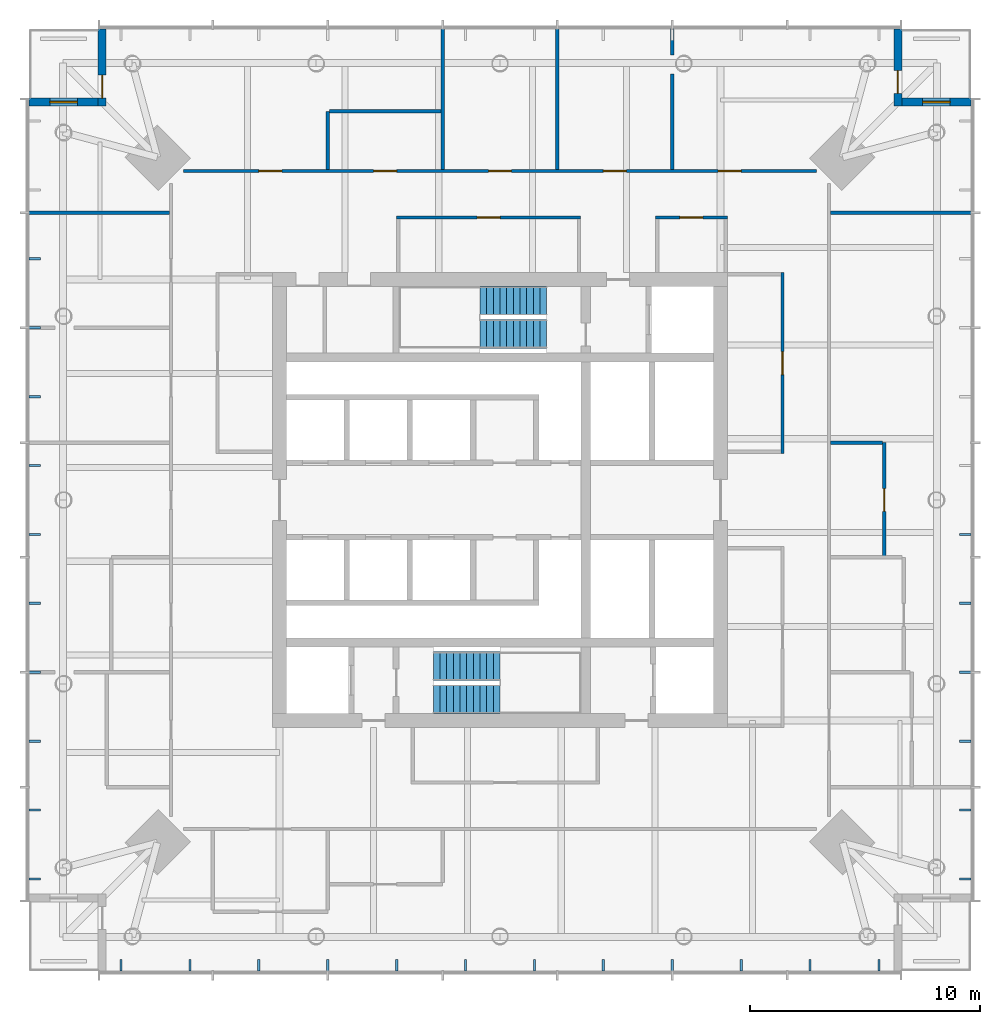
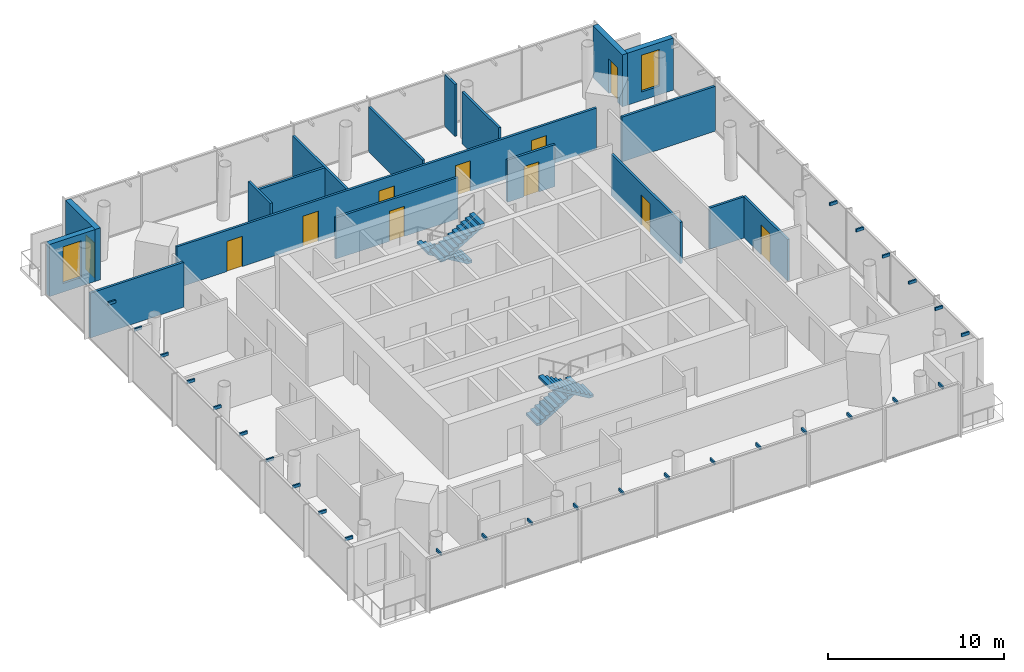
# One storey, part 7 of 9: 28 discrete accessories, 18 walls, 11 doors, 4 stair flights, 2 windows, 13 openings, 2 elements without a shape of their own.
"""IFC4 building model written with IfcOpenShell, lengths in metres."""

from ifc_helpers import new_model, si_unit, direction, frame, frame_2d, origin, origin_2d, place, context, subcontext, project, spatial, polyline, rectangle, outline, extrude, material, layer, layer_set, type_object, element, fill, aggregate, save


model = new_model("IFC4")

# Units and contexts
model_context = context("Model", 3, precision=1e-05, world=origin(), true_north=direction((0.0, 1.0)))
body_context = subcontext(model_context, "Body", "Model", "MODEL_VIEW")
ifc_project = project(units=[si_unit("LENGTHUNIT", "METRE"), si_unit("AREAUNIT", "SQUARE_METRE"), si_unit("VOLUMEUNIT", "CUBIC_METRE"), si_unit("PLANEANGLEUNIT", "RADIAN"), si_unit("MASSUNIT", "GRAM", prefix="KILO")], contexts=[model_context])

# Site, building, storey
site_placement = place(None, origin())
site = spatial("IfcSite", under=ifc_project, at=site_placement, CompositionType="ELEMENT")
building_placement = place(site_placement, origin())
building = spatial("IfcBuilding", under=site, at=building_placement, Name="Ostroluk Exchange", CompositionType="ELEMENT")
storey_placement = place(building_placement, frame((0.0, 0.0, 176.800048828125)))
storey = spatial("IfcBuildingStorey", under=building, at=storey_placement, Name="L45", CompositionType="ELEMENT", Elevation=176.800048828125)

# Wall, opening, door
ifc_material_1 = material(Name="Limestone", Category="masonry")
ifc_layer_1 = layer(ifc_material_1, 0.35009765625)
ifc_layer_set_1 = layer_set([ifc_layer_1], Name="Limestone facade wall 350")
wall_type_1 = type_object("IfcWallType", Name="Limestone facade wall 350", PredefinedType="SOLIDWALL", material=ifc_layer_set_1)
wall_1_placement = place(storey_placement, frame((62.324951171875, 66.5, 0.0), z_axis=(0.0, 0.0, 1.0), x_axis=(0.0, -1.0, 0.0)))
wall_1 = element("IfcWall", 1, at=wall_1_placement, inside=storey, type_object=wall_type_1, Name="Office tower NE corner wall L45 a", PredefinedType="SOLIDWALL", context=body_context, shape_type="SweptSolid", body=[
    extrude(rectangle(XDim=3.35009765625, YDim=0.35009765625, at=frame_2d((1.675048828125, 0.0))), origin(), (0.0, 0.0, 1.0), 3.619873046875),
])
opening_1_placement = place(wall_1_placement, frame((1.800048828125, 0.0, 0.0)))
opening_1 = element("IfcOpeningElement", 2, at=opening_1_placement, cuts=wall_1, Name="Opening D-B1", PredefinedType="OPENING", context=body_context, shape_type="SweptSolid", body=[
    extrude(rectangle(XDim=1.0, YDim=2.39990234375, at=frame_2d((0.5, 1.199951171875))), frame((0.0, 0.18505859375, 0.0), z_axis=(0.0, -1.0, 0.0), x_axis=(1.0, 0.0, 0.0)), (0.0, 0.0, 1.0), 0.3701171875),
])
ifc_material_2 = material(Name="Bronze framed glazed door", Category="aluminium")
door_type_1 = type_object("IfcDoorType", Name="Balcony door 1000 x 2400", OperationType="SINGLE_SWING_LEFT", PredefinedType="DOOR", material=ifc_material_2)
door_1_placement = place(opening_1_placement, origin())
door_1 = element("IfcDoor", 3, at=door_1_placement, inside=storey, type_object=door_type_1, Name="Office tower NE balcony door L45", OperationType="SINGLE_SWING_RIGHT", OverallHeight=2.39990234375, OverallWidth=1.0, PredefinedType="DOOR", context=body_context, shape_type="SweptSolid", body=[
    extrude(rectangle(XDim=1.0, YDim=2.39990234375, at=frame_2d((0.5, 1.199951171875))), frame((0.0, 0.02490234375, 0.0), z_axis=(0.0, -1.0, 0.0), x_axis=(1.0, 0.0, 0.0)), (0.0, 0.0, 1.0), 0.050048828125),
])
fill(opening_1, door_1)

# Wall, opening, window
wall_2_placement = place(storey_placement, frame((62.5, 63.324951171875, 0.0), z_axis=(0.0, 0.0, 1.0), x_axis=(1.0, 0.0, 0.0)))
wall_2 = element("IfcWall", 4, at=wall_2_placement, inside=storey, type_object=wall_type_1, Name="Office tower NE corner wall L45 b", PredefinedType="SOLIDWALL", context=body_context, shape_type="SweptSolid", body=[
    extrude(rectangle(XDim=3.0, YDim=0.35009765625, at=frame_2d((1.5, 0.0))), origin(), (0.0, 0.0, 1.0), 3.619873046875),
])
opening_2_placement = place(wall_2_placement, frame((0.89990234375, 0.0, 0.60009765625)))
opening_2 = element("IfcOpeningElement", 5, at=opening_2_placement, cuts=wall_2, Name="Opening WN-L1", PredefinedType="OPENING", context=body_context, shape_type="SweptSolid", body=[
    extrude(rectangle(XDim=1.199951171875, YDim=2.550048828125, at=frame_2d((0.60009765625, 1.27490234375))), frame((0.0, 0.18505859375, 0.0), z_axis=(0.0, -1.0, 0.0), x_axis=(1.0, 0.0, 0.0)), (0.0, 0.0, 1.0), 0.3701171875),
])
ifc_material_3 = material(Name="Laminated clear glass", Category="glass")
window_type = type_object("IfcWindowType", Name="Lancet window 1200 x 2550", PartitioningType="SINGLE_PANEL", PredefinedType="WINDOW", material=ifc_material_3)
window_1_placement = place(opening_2_placement, origin())
window_1 = element("IfcWindow", 6, at=window_1_placement, inside=storey, type_object=window_type, Name="Office tower NE lancet window L45", OverallHeight=2.550048828125, OverallWidth=1.199951171875, PartitioningType="SINGLE_PANEL", PredefinedType="WINDOW", context=body_context, shape_type="SweptSolid", body=[
    extrude(rectangle(XDim=1.199951171875, YDim=2.550048828125, at=frame_2d((0.60009765625, 1.27490234375))), frame((0.0, 0.030029296875, 0.0), z_axis=(0.0, -1.0, 0.0), x_axis=(1.0, 0.0, 0.0)), (0.0, 0.0, 1.0), 0.06005859375),
])
fill(opening_2, window_1)

# Wall, opening, door
wall_3_placement = place(storey_placement, frame((27.675048828125, 66.5, 0.0), z_axis=(0.0, 0.0, 1.0), x_axis=(0.0, -1.0, 0.0)))
wall_3 = element("IfcWall", 7, at=wall_3_placement, inside=storey, type_object=wall_type_1, Name="Office tower NW corner wall L45 a", PredefinedType="SOLIDWALL", context=body_context, shape_type="SweptSolid", body=[
    extrude(rectangle(XDim=3.35009765625, YDim=0.35009765625, at=frame_2d((1.675048828125, 0.0))), origin(), (0.0, 0.0, 1.0), 3.619873046875),
])
opening_3_placement = place(wall_3_placement, frame((2.0, 0.0, 0.0)))
opening_3 = element("IfcOpeningElement", 8, at=opening_3_placement, cuts=wall_3, Name="Opening D-B1", PredefinedType="OPENING", context=body_context, shape_type="SweptSolid", body=[
    extrude(rectangle(XDim=1.0, YDim=2.39990234375, at=frame_2d((0.5, 1.199951171875))), frame((0.0, 0.18505859375, 0.0), z_axis=(0.0, -1.0, 0.0), x_axis=(1.0, 0.0, 0.0)), (0.0, 0.0, 1.0), 0.3701171875),
])
door_2_placement = place(opening_3_placement, origin())
door_2 = element("IfcDoor", 9, at=door_2_placement, inside=storey, type_object=door_type_1, Name="Office tower NW balcony door L45", OperationType="SINGLE_SWING_RIGHT", OverallHeight=2.39990234375, OverallWidth=1.0, PredefinedType="DOOR", context=body_context, shape_type="SweptSolid", body=[
    extrude(rectangle(XDim=1.0, YDim=2.39990234375, at=frame_2d((0.5, 1.199951171875))), frame((0.0, 0.02490234375, 0.0), z_axis=(0.0, -1.0, 0.0), x_axis=(1.0, 0.0, 0.0)), (0.0, 0.0, 1.0), 0.050048828125),
])
fill(opening_3, door_2)

# Wall, opening, window
wall_4_placement = place(storey_placement, frame((27.5, 63.324951171875, 0.0), z_axis=(0.0, 0.0, 1.0), x_axis=(-1.0, 0.0, 0.0)))
wall_4 = element("IfcWall", 10, at=wall_4_placement, inside=storey, type_object=wall_type_1, Name="Office tower NW corner wall L45 b", PredefinedType="SOLIDWALL", context=body_context, shape_type="SweptSolid", body=[
    extrude(rectangle(XDim=3.0, YDim=0.35009765625, at=frame_2d((1.5, 0.0))), origin(), (0.0, 0.0, 1.0), 3.619873046875),
])
opening_4_placement = place(wall_4_placement, frame((0.89990234375, 0.0, 0.60009765625)))
opening_4 = element("IfcOpeningElement", 11, at=opening_4_placement, cuts=wall_4, Name="Opening WN-L1", PredefinedType="OPENING", context=body_context, shape_type="SweptSolid", body=[
    extrude(rectangle(XDim=1.199951171875, YDim=2.550048828125, at=frame_2d((0.60009765625, 1.27490234375))), frame((0.0, 0.18505859375, 0.0), z_axis=(0.0, -1.0, 0.0), x_axis=(1.0, 0.0, 0.0)), (0.0, 0.0, 1.0), 0.3701171875),
])
window_2_placement = place(opening_4_placement, origin())
window_2 = element("IfcWindow", 12, at=window_2_placement, inside=storey, type_object=window_type, Name="Office tower NW lancet window L45", OverallHeight=2.550048828125, OverallWidth=1.199951171875, PartitioningType="SINGLE_PANEL", PredefinedType="WINDOW", context=body_context, shape_type="SweptSolid", body=[
    extrude(rectangle(XDim=1.199951171875, YDim=2.550048828125, at=frame_2d((0.60009765625, 1.27490234375))), frame((0.0, 0.030029296875, 0.0), z_axis=(0.0, -1.0, 0.0), x_axis=(1.0, 0.0, 0.0)), (0.0, 0.0, 1.0), 0.06005859375),
])
fill(opening_4, window_2)

# Wall, opening, door
ifc_material_4 = material(Name="Gypsum plasterboard partition", Category="gypsum")
ifc_layer_2 = layer(ifc_material_4, 0.14990234375)
ifc_layer_set_2 = layer_set([ifc_layer_2], Name="Plasterboard partition 150")
wall_type_2 = type_object("IfcWallType", Name="Plasterboard partition 150", PredefinedType="PARTITIONING", material=ifc_layer_set_2)
wall_5_placement = place(storey_placement, frame((57.300048828125, 48.02490234375, 0.0), z_axis=(0.0, 0.0, 1.0), x_axis=(0.0, 1.0, 0.0)))
wall_5 = element("IfcWall", 13, at=wall_5_placement, inside=storey, type_object=wall_type_2, Name="Partition", PredefinedType="PARTITIONING", context=body_context, shape_type="SweptSolid", body=[
    extrude(rectangle(XDim=7.875, YDim=0.14990234375, at=frame_2d((3.9375, 0.0))), origin(), (0.0, 0.0, 1.0), 2.866943359375),
])
opening_5_placement = place(wall_5_placement, frame((3.4375, 0.0, 0.0)))
opening_5 = element("IfcOpeningElement", 14, at=opening_5_placement, cuts=wall_5, Name="Opening D-03", PredefinedType="OPENING", context=body_context, shape_type="SweptSolid", body=[
    extrude(rectangle(XDim=1.0, YDim=2.10009765625, at=frame_2d((0.5, 1.050048828125))), frame((0.0, 0.0849609375, 0.0), z_axis=(0.0, -1.0, 0.0), x_axis=(1.0, 0.0, 0.0)), (0.0, 0.0, 1.0), 0.169921875),
])
ifc_material_5 = material(Name="Timber", Category="wood")
door_type_2 = type_object("IfcDoorType", Name="Internal door 1000 x 2100", OperationType="SINGLE_SWING_LEFT", PredefinedType="DOOR", material=ifc_material_5)
door_3_placement = place(opening_5_placement, origin())
door_3 = element("IfcDoor", 15, at=door_3_placement, inside=storey, type_object=door_type_2, Name="Meeting room door", OperationType="SINGLE_SWING_LEFT", OverallHeight=2.10009765625, OverallWidth=1.0, PredefinedType="DOOR", context=body_context, shape_type="SweptSolid", body=[
    extrude(rectangle(XDim=1.0, YDim=2.10009765625, at=frame_2d((0.5, 1.050048828125))), frame((0.0, 0.02490234375, 0.0), z_axis=(0.0, -1.0, 0.0), x_axis=(1.0, 0.0, 0.0)), (0.0, 0.0, 1.0), 0.050048828125),
])
fill(opening_5, door_3)

wall_6_placement = place(storey_placement, frame((54.89990234375, 58.300048828125, 0.0), z_axis=(0.0, 0.0, 1.0), x_axis=(-1.0, 0.0, 0.0)))
wall_6 = element("IfcWall", 16, at=wall_6_placement, inside=storey, type_object=wall_type_2, Name="Partition", PredefinedType="PARTITIONING", context=body_context, shape_type="SweptSolid", body=[
    extrude(rectangle(XDim=3.135009765625, YDim=0.14990234375, at=frame_2d((1.5673828125, 0.0))), origin(), (0.0, 0.0, 1.0), 2.919921875),
])
opening_6_placement = place(wall_6_placement, frame((1.0673828125, 0.0, 0.0)))
opening_6 = element("IfcOpeningElement", 17, at=opening_6_placement, cuts=wall_6, Name="Opening D-03", PredefinedType="OPENING", context=body_context, shape_type="SweptSolid", body=[
    extrude(rectangle(XDim=1.0, YDim=2.10009765625, at=frame_2d((0.5, 1.050048828125))), frame((0.0, 0.0849609375, 0.0), z_axis=(0.0, -1.0, 0.0), x_axis=(1.0, 0.0, 0.0)), (0.0, 0.0, 1.0), 0.169921875),
])
door_4_placement = place(opening_6_placement, origin())
door_4 = element("IfcDoor", 18, at=door_4_placement, inside=storey, type_object=door_type_2, Name="Meeting room door", OperationType="SINGLE_SWING_RIGHT", OverallHeight=2.10009765625, OverallWidth=1.0, PredefinedType="DOOR", context=body_context, shape_type="SweptSolid", body=[
    extrude(rectangle(XDim=1.0, YDim=2.10009765625, at=frame_2d((0.5, 1.050048828125))), frame((0.0, 0.02490234375, 0.0), z_axis=(0.0, -1.0, 0.0), x_axis=(1.0, 0.0, 0.0)), (0.0, 0.0, 1.0), 0.050048828125),
])
fill(opening_6, door_4)

wall_7_placement = place(storey_placement, frame((48.514892578125, 58.300048828125, 0.0), z_axis=(0.0, 0.0, 1.0), x_axis=(-1.0, 0.0, 0.0)))
wall_7 = element("IfcWall", 19, at=wall_7_placement, inside=storey, type_object=wall_type_2, Name="Partition", PredefinedType="PARTITIONING", context=body_context, shape_type="SweptSolid", body=[
    extrude(rectangle(XDim=8.02783203125, YDim=0.14990234375, at=frame_2d((4.013916015625, 0.0))), origin(), (0.0, 0.0, 1.0), 2.866943359375),
])
opening_7_placement = place(wall_7_placement, frame((3.513916015625, 0.0, 0.0)))
opening_7 = element("IfcOpeningElement", 20, at=opening_7_placement, cuts=wall_7, Name="Opening D-03", PredefinedType="OPENING", context=body_context, shape_type="SweptSolid", body=[
    extrude(rectangle(XDim=1.0, YDim=2.10009765625, at=frame_2d((0.5, 1.050048828125))), frame((0.0, 0.0849609375, 0.0), z_axis=(0.0, -1.0, 0.0), x_axis=(1.0, 0.0, 0.0)), (0.0, 0.0, 1.0), 0.169921875),
])
door_5_placement = place(opening_7_placement, origin())
door_5 = element("IfcDoor", 21, at=door_5_placement, inside=storey, type_object=door_type_2, Name="Meeting room door", OperationType="SINGLE_SWING_RIGHT", OverallHeight=2.10009765625, OverallWidth=1.0, PredefinedType="DOOR", context=body_context, shape_type="SweptSolid", body=[
    extrude(rectangle(XDim=1.0, YDim=2.10009765625, at=frame_2d((0.5, 1.050048828125))), frame((0.0, 0.02490234375, 0.0), z_axis=(0.0, -1.0, 0.0), x_axis=(1.0, 0.0, 0.0)), (0.0, 0.0, 1.0), 0.050048828125),
])
fill(opening_7, door_5)

# Wall
wall_8_placement = place(storey_placement, frame((59.39990234375, 58.5, 0.0), z_axis=(0.0, 0.0, 1.0), x_axis=(1.0, 0.0, 0.0)))
element("IfcWall", 22, at=wall_8_placement, inside=storey, type_object=wall_type_2, Name="Partition", PredefinedType="PARTITIONING", context=body_context, shape_type="SweptSolid", body=[
    extrude(rectangle(XDim=6.14013671875, YDim=0.14990234375, at=frame_2d((3.070068359375, 0.0))), origin(), (0.0, 0.0, 1.0), 3.119873046875),
])

# Wall, opening, door
wall_9_placement = place(storey_placement, frame((61.727294921875, 43.5, 0.0), z_axis=(0.0, 0.0, 1.0), x_axis=(0.0, 1.0, 0.0)))
wall_9 = element("IfcWall", 23, at=wall_9_placement, inside=storey, type_object=wall_type_2, Name="Partition", PredefinedType="PARTITIONING", context=body_context, shape_type="SweptSolid", body=[
    extrude(rectangle(XDim=5.0, YDim=0.14990234375, at=frame_2d((2.5, 0.0))), origin(), (0.0, 0.0, 1.0), 2.866943359375),
])
opening_8_placement = place(wall_9_placement, frame((2.0, 0.0, 0.0)))
opening_8 = element("IfcOpeningElement", 24, at=opening_8_placement, cuts=wall_9, Name="Opening D-03", PredefinedType="OPENING", context=body_context, shape_type="SweptSolid", body=[
    extrude(rectangle(XDim=1.0, YDim=2.10009765625, at=frame_2d((0.5, 1.050048828125))), frame((0.0, 0.0849609375, 0.0), z_axis=(0.0, -1.0, 0.0), x_axis=(1.0, 0.0, 0.0)), (0.0, 0.0, 1.0), 0.169921875),
])
door_6_placement = place(opening_8_placement, origin())
door_6 = element("IfcDoor", 25, at=door_6_placement, inside=storey, type_object=door_type_2, Name="Pantry door", OperationType="SINGLE_SWING_LEFT", OverallHeight=2.10009765625, OverallWidth=1.0, PredefinedType="DOOR", context=body_context, shape_type="SweptSolid", body=[
    extrude(rectangle(XDim=1.0, YDim=2.10009765625, at=frame_2d((0.5, 1.050048828125))), frame((0.0, 0.02490234375, 0.0), z_axis=(0.0, -1.0, 0.0), x_axis=(1.0, 0.0, 0.0)), (0.0, 0.0, 1.0), 0.050048828125),
])
fill(opening_8, door_6)

# Walls
wall_10_placement = place(storey_placement, frame((59.39990234375, 48.5, 0.0), z_axis=(0.0, 0.0, 1.0), x_axis=(1.0, 0.0, 0.0)))
element("IfcWall", 26, at=wall_10_placement, inside=storey, type_object=wall_type_2, Name="Partition", PredefinedType="PARTITIONING", context=body_context, shape_type="SweptSolid", body=[
    extrude(rectangle(XDim=2.25244140625, YDim=0.14990234375, at=frame_2d((1.126220703125, 0.0))), origin(), (0.0, 0.0, 1.0), 2.866943359375),
])
wall_11_placement = place(storey_placement, frame((42.425048828125, 62.925048828125, 0.0), z_axis=(0.0, 0.0, 1.0), x_axis=(-1.0, 0.0, 0.0)))
element("IfcWall", 27, at=wall_11_placement, inside=storey, type_object=wall_type_2, Name="Partition", PredefinedType="PARTITIONING", context=body_context, shape_type="SweptSolid", body=[
    extrude(rectangle(XDim=4.85009765625, YDim=0.14990234375, at=frame_2d((2.425048828125, 0.0))), origin(), (0.0, 0.0, 1.0), 2.866943359375),
])

# Wall, openings, doors
wall_12_placement = place(storey_placement, frame((58.785888671875, 60.324951171875, 0.0), z_axis=(0.0, 0.0, 1.0), x_axis=(-1.0, 0.0, 0.0)))
wall_12 = element("IfcWall", 28, at=wall_12_placement, inside=storey, type_object=wall_type_2, Name="Partition", PredefinedType="PARTITIONING", context=body_context, shape_type="SweptSolid", body=[
    extrude(rectangle(XDim=27.57177734375, YDim=0.14990234375, at=frame_2d((13.785888671875, 0.0))), origin(), (0.0, 0.0, 1.0), 2.866943359375),
])
opening_9_placement = place(wall_12_placement, frame((3.285888671875, 0.0, 0.0)))
opening_9 = element("IfcOpeningElement", 29, at=opening_9_placement, cuts=wall_12, Name="Opening D-03", PredefinedType="OPENING", context=body_context, shape_type="SweptSolid", body=[
    extrude(rectangle(XDim=1.0, YDim=2.10009765625, at=frame_2d((0.5, 1.050048828125))), frame((0.0, 0.0849609375, 0.0), z_axis=(0.0, -1.0, 0.0), x_axis=(1.0, 0.0, 0.0)), (0.0, 0.0, 1.0), 0.169921875),
])
opening_10_placement = place(wall_12_placement, frame((8.285888671875, 0.0, 0.0)))
opening_10 = element("IfcOpeningElement", 30, at=opening_10_placement, cuts=wall_12, Name="Opening D-03", PredefinedType="OPENING", context=body_context, shape_type="SweptSolid", body=[
    extrude(rectangle(XDim=1.0, YDim=2.10009765625, at=frame_2d((0.5, 1.050048828125))), frame((0.0, 0.0849609375, 0.0), z_axis=(0.0, -1.0, 0.0), x_axis=(1.0, 0.0, 0.0)), (0.0, 0.0, 1.0), 0.169921875),
])
opening_11_placement = place(wall_12_placement, frame((13.285888671875, 0.0, 0.0)))
opening_11 = element("IfcOpeningElement", 31, at=opening_11_placement, cuts=wall_12, Name="Opening D-03", PredefinedType="OPENING", context=body_context, shape_type="SweptSolid", body=[
    extrude(rectangle(XDim=1.0, YDim=2.10009765625, at=frame_2d((0.5, 1.050048828125))), frame((0.0, 0.0849609375, 0.0), z_axis=(0.0, -1.0, 0.0), x_axis=(1.0, 0.0, 0.0)), (0.0, 0.0, 1.0), 0.169921875),
])
opening_12_placement = place(wall_12_placement, frame((18.285888671875, 0.0, 0.0)))
opening_12 = element("IfcOpeningElement", 32, at=opening_12_placement, cuts=wall_12, Name="Opening D-03", PredefinedType="OPENING", context=body_context, shape_type="SweptSolid", body=[
    extrude(rectangle(XDim=1.0, YDim=2.10009765625, at=frame_2d((0.5, 1.050048828125))), frame((0.0, 0.0849609375, 0.0), z_axis=(0.0, -1.0, 0.0), x_axis=(1.0, 0.0, 0.0)), (0.0, 0.0, 1.0), 0.169921875),
])
opening_13_placement = place(wall_12_placement, frame((23.285888671875, 0.0, 0.0)))
opening_13 = element("IfcOpeningElement", 33, at=opening_13_placement, cuts=wall_12, Name="Opening D-03", PredefinedType="OPENING", context=body_context, shape_type="SweptSolid", body=[
    extrude(rectangle(XDim=1.0, YDim=2.10009765625, at=frame_2d((0.5, 1.050048828125))), frame((0.0, 0.0849609375, 0.0), z_axis=(0.0, -1.0, 0.0), x_axis=(1.0, 0.0, 0.0)), (0.0, 0.0, 1.0), 0.169921875),
])
door_7_placement = place(opening_9_placement, origin())
door_7 = element("IfcDoor", 34, at=door_7_placement, inside=storey, type_object=door_type_2, Name="Office suite door", OperationType="SINGLE_SWING_LEFT", OverallHeight=2.10009765625, OverallWidth=1.0, PredefinedType="DOOR", context=body_context, shape_type="SweptSolid", body=[
    extrude(rectangle(XDim=1.0, YDim=2.10009765625, at=frame_2d((0.5, 1.050048828125))), frame((0.0, 0.02490234375, 0.0), z_axis=(0.0, -1.0, 0.0), x_axis=(1.0, 0.0, 0.0)), (0.0, 0.0, 1.0), 0.050048828125),
])
fill(opening_9, door_7)
door_8_placement = place(opening_10_placement, origin())
door_8 = element("IfcDoor", 35, at=door_8_placement, inside=storey, type_object=door_type_2, Name="Office door", OperationType="SINGLE_SWING_LEFT", OverallHeight=2.10009765625, OverallWidth=1.0, PredefinedType="DOOR", context=body_context, shape_type="SweptSolid", body=[
    extrude(rectangle(XDim=1.0, YDim=2.10009765625, at=frame_2d((0.5, 1.050048828125))), frame((0.0, 0.02490234375, 0.0), z_axis=(0.0, -1.0, 0.0), x_axis=(1.0, 0.0, 0.0)), (0.0, 0.0, 1.0), 0.050048828125),
])
fill(opening_10, door_8)
door_9_placement = place(opening_11_placement, origin())
door_9 = element("IfcDoor", 36, at=door_9_placement, inside=storey, type_object=door_type_2, Name="Meeting room door", OperationType="SINGLE_SWING_LEFT", OverallHeight=2.10009765625, OverallWidth=1.0, PredefinedType="DOOR", context=body_context, shape_type="SweptSolid", body=[
    extrude(rectangle(XDim=1.0, YDim=2.10009765625, at=frame_2d((0.5, 1.050048828125))), frame((0.0, 0.02490234375, 0.0), z_axis=(0.0, -1.0, 0.0), x_axis=(1.0, 0.0, 0.0)), (0.0, 0.0, 1.0), 0.050048828125),
])
fill(opening_11, door_9)
door_10_placement = place(opening_12_placement, origin())
door_10 = element("IfcDoor", 37, at=door_10_placement, inside=storey, type_object=door_type_2, Name="Pantry door", OperationType="SINGLE_SWING_RIGHT", OverallHeight=2.10009765625, OverallWidth=1.0, PredefinedType="DOOR", context=body_context, shape_type="SweptSolid", body=[
    extrude(rectangle(XDim=1.0, YDim=2.10009765625, at=frame_2d((0.5, 1.050048828125))), frame((0.0, 0.02490234375, 0.0), z_axis=(0.0, -1.0, 0.0), x_axis=(1.0, 0.0, 0.0)), (0.0, 0.0, 1.0), 0.050048828125),
])
fill(opening_12, door_10)
door_11_placement = place(opening_13_placement, origin())
door_11 = element("IfcDoor", 38, at=door_11_placement, inside=storey, type_object=door_type_2, Name="Office door", OperationType="SINGLE_SWING_RIGHT", OverallHeight=2.10009765625, OverallWidth=1.0, PredefinedType="DOOR", context=body_context, shape_type="SweptSolid", body=[
    extrude(rectangle(XDim=1.0, YDim=2.10009765625, at=frame_2d((0.5, 1.050048828125))), frame((0.0, 0.02490234375, 0.0), z_axis=(0.0, -1.0, 0.0), x_axis=(1.0, 0.0, 0.0)), (0.0, 0.0, 1.0), 0.050048828125),
])
fill(opening_13, door_11)

# Walls
wall_13_placement = place(storey_placement, frame((52.5, 60.39990234375, 0.0), z_axis=(0.0, 0.0, 1.0), x_axis=(0.0, 1.0, 0.0)))
element("IfcWall", 39, at=wall_13_placement, inside=storey, type_object=wall_type_2, Name="Partition", PredefinedType="PARTITIONING", context=body_context, shape_type="SweptSolid", body=[
    extrude(rectangle(XDim=4.14453125, YDim=0.14990234375, at=frame_2d((2.072265625, 0.0))), origin(), (0.0, 0.0, 1.0), 3.619873046875),
])
wall_14_placement = place(storey_placement, frame((52.5, 65.376953125, 0.0), z_axis=(0.0, 0.0, 1.0), x_axis=(0.0, 1.0, 0.0)))
element("IfcWall", 40, at=wall_14_placement, inside=storey, type_object=wall_type_2, Name="Partition", PredefinedType="PARTITIONING", context=body_context, shape_type="SweptSolid", body=[
    extrude(rectangle(XDim=1.1630859375, YDim=0.14990234375, at=frame_2d((0.58154296875, 0.0))), origin(), (0.0, 0.0, 1.0), 3.619873046875),
])
wall_15_placement = place(storey_placement, frame((47.5, 60.39990234375, 0.0), z_axis=(0.0, 0.0, 1.0), x_axis=(0.0, 1.0, 0.0)))
element("IfcWall", 41, at=wall_15_placement, inside=storey, type_object=wall_type_2, Name="Partition", PredefinedType="PARTITIONING", context=body_context, shape_type="SweptSolid", body=[
    extrude(rectangle(XDim=6.14013671875, YDim=0.14990234375, at=frame_2d((3.070068359375, 0.0))), origin(), (0.0, 0.0, 1.0), 3.119873046875),
])
wall_16_placement = place(storey_placement, frame((42.5, 60.39990234375, 0.0), z_axis=(0.0, 0.0, 1.0), x_axis=(0.0, 1.0, 0.0)))
element("IfcWall", 42, at=wall_16_placement, inside=storey, type_object=wall_type_2, Name="Partition", PredefinedType="PARTITIONING", context=body_context, shape_type="SweptSolid", body=[
    extrude(rectangle(XDim=6.14013671875, YDim=0.14990234375, at=frame_2d((3.070068359375, 0.0))), origin(), (0.0, 0.0, 1.0), 2.866943359375),
])
wall_17_placement = place(storey_placement, frame((37.5, 60.39990234375, 0.0), z_axis=(0.0, 0.0, 1.0), x_axis=(0.0, 1.0, 0.0)))
element("IfcWall", 43, at=wall_17_placement, inside=storey, type_object=wall_type_2, Name="Partition", PredefinedType="PARTITIONING", context=body_context, shape_type="SweptSolid", body=[
    extrude(rectangle(XDim=2.525146484375, YDim=0.14990234375, at=frame_2d((1.2626953125, 0.0))), origin(), (0.0, 0.0, 1.0), 3.619873046875),
])
wall_18_placement = place(storey_placement, frame((30.60009765625, 58.5, 0.0), z_axis=(0.0, 0.0, 1.0), x_axis=(-1.0, 0.0, 0.0)))
element("IfcWall", 44, at=wall_18_placement, inside=storey, type_object=wall_type_2, Name="Partition", PredefinedType="PARTITIONING", context=body_context, shape_type="SweptSolid", body=[
    extrude(rectangle(XDim=6.14013671875, YDim=0.14990234375, at=frame_2d((3.070068359375, 0.0))), origin(), (0.0, 0.0, 1.0), 3.119873046875),
])

# Stair, stair flights
ifc_material_6 = material(Name="Concrete C30/37", Category="concrete")
stair_type = type_object("IfcStairType", Name="Exit stair half turn 3800", PredefinedType="HALF_TURN_STAIR", material=ifc_material_6)
stair_1_placement = place(storey_placement, origin())
stair_1 = element("IfcStair", 45, at=stair_1_placement, inside=storey, type_object=stair_type, Name="Stair T1-S1 L45", PredefinedType="HALF_TURN_STAIR")
ifc_material_7 = material(Name="Concrete C30/37", Category="concrete")
stair_flight_type = type_object("IfcStairFlightType", Name="Stair flight 11 risers 172.7 x 290", PredefinedType="STRAIGHT", material=ifc_material_7)
stair_flight_1_placement = place(storey_placement, frame((42.10009765625, 38.77490234375, 0.0), z_axis=(0.0, 0.0, 1.0), x_axis=(1.0, 0.0, 0.0)))
stair_flight_1 = element("IfcStairFlight", 46, at=stair_flight_1_placement, type_object=stair_flight_type, Name="T1-S1 flight 1", NumberOfRisers=11, NumberOfTreads=10, PredefinedType="STRAIGHT", RiserHeight=0.172727273, TreadLength=0.29, context=body_context, shape_type="SweptSolid", body=[
    extrude(outline(polyline([(0.0, 0.0), (0.0, 0.172607421875), (0.2900390625, 0.172607421875), (0.2900390625, 0.345458984375), (0.580078125, 0.345458984375), (0.580078125, 0.51806640625), (0.8701171875, 0.51806640625), (0.8701171875, 0.69091796875), (1.159912109375, 0.69091796875), (1.159912109375, 0.863525390625), (1.449951171875, 0.863525390625), (1.449951171875, 1.036376953125), (1.739990234375, 1.036376953125), (1.739990234375, 1.208984375), (2.030029296875, 1.208984375), (2.030029296875, 1.3818359375), (2.320068359375, 1.3818359375), (2.320068359375, 1.554443359375), (2.610107421875, 1.554443359375), (2.610107421875, 1.727294921875), (2.89990234375, 1.727294921875), (2.89990234375, 1.89990234375), (2.89990234375, 1.552734375), (0.29296875, 0.0), (0.0, 0.0)])), frame((0.0, 0.625, 0.0), z_axis=(0.0, -1.0, 0.0), x_axis=(1.0, 0.0, 0.0)), (0.0, 0.0, 1.0), 1.25),
])
stair_flight_2_placement = place(storey_placement, frame((45.0, 37.324951171875, 1.89990234375), z_axis=(0.0, 0.0, 1.0), x_axis=(-1.0, 0.0, 0.0)))
stair_flight_2 = element("IfcStairFlight", 47, at=stair_flight_2_placement, type_object=stair_flight_type, Name="T1-S1 flight 2", NumberOfRisers=11, NumberOfTreads=10, PredefinedType="STRAIGHT", RiserHeight=0.172727273, TreadLength=0.29, context=body_context, shape_type="SweptSolid", body=[
    extrude(outline(polyline([(0.0, 0.0), (0.0, 0.172607421875), (0.2900390625, 0.172607421875), (0.2900390625, 0.345458984375), (0.580078125, 0.345458984375), (0.580078125, 0.51806640625), (0.8701171875, 0.51806640625), (0.8701171875, 0.69091796875), (1.159912109375, 0.69091796875), (1.159912109375, 0.863525390625), (1.449951171875, 0.863525390625), (1.449951171875, 1.036376953125), (1.739990234375, 1.036376953125), (1.739990234375, 1.208984375), (2.030029296875, 1.208984375), (2.030029296875, 1.3818359375), (2.320068359375, 1.3818359375), (2.320068359375, 1.554443359375), (2.610107421875, 1.554443359375), (2.610107421875, 1.727294921875), (2.89990234375, 1.727294921875), (2.89990234375, 1.89990234375), (2.89990234375, 1.552734375), (0.29296875, 0.0), (0.0, 0.0)])), frame((0.0, 0.625, 0.0), z_axis=(0.0, -1.0, 0.0), x_axis=(1.0, 0.0, 0.0)), (0.0, 0.0, 1.0), 1.25),
])
aggregate(stair_1, [stair_flight_1, stair_flight_2])

stair_2_placement = place(storey_placement, origin())
stair_2 = element("IfcStair", 48, at=stair_2_placement, inside=storey, type_object=stair_type, Name="Stair T1-S2 L45", PredefinedType="HALF_TURN_STAIR")
stair_flight_3_placement = place(storey_placement, frame((47.030029296875, 54.675048828125, 0.0), z_axis=(0.0, 0.0, 1.0), x_axis=(-1.0, 0.0, 0.0)))
stair_flight_3 = element("IfcStairFlight", 49, at=stair_flight_3_placement, type_object=stair_flight_type, Name="T1-S2 flight 1", NumberOfRisers=11, NumberOfTreads=10, PredefinedType="STRAIGHT", RiserHeight=0.172727273, TreadLength=0.29, context=body_context, shape_type="SweptSolid", body=[
    extrude(outline(polyline([(0.0, 0.0), (0.0, 0.172607421875), (0.2900390625, 0.172607421875), (0.2900390625, 0.345458984375), (0.580078125, 0.345458984375), (0.580078125, 0.51806640625), (0.8701171875, 0.51806640625), (0.8701171875, 0.69091796875), (1.159912109375, 0.69091796875), (1.159912109375, 0.863525390625), (1.449951171875, 0.863525390625), (1.449951171875, 1.036376953125), (1.739990234375, 1.036376953125), (1.739990234375, 1.208984375), (2.030029296875, 1.208984375), (2.030029296875, 1.3818359375), (2.320068359375, 1.3818359375), (2.320068359375, 1.554443359375), (2.610107421875, 1.554443359375), (2.610107421875, 1.727294921875), (2.89990234375, 1.727294921875), (2.89990234375, 1.89990234375), (2.89990234375, 1.552734375), (0.29296875, 0.0), (0.0, 0.0)])), frame((0.0, 0.625, 0.0), z_axis=(0.0, -1.0, 0.0), x_axis=(1.0, 0.0, 0.0)), (0.0, 0.0, 1.0), 1.25),
])
stair_flight_4_placement = place(storey_placement, frame((44.1298828125, 53.22509765625, 1.89990234375), z_axis=(0.0, 0.0, 1.0), x_axis=(1.0, 0.0, 0.0)))
stair_flight_4 = element("IfcStairFlight", 50, at=stair_flight_4_placement, type_object=stair_flight_type, Name="T1-S2 flight 2", NumberOfRisers=11, NumberOfTreads=10, PredefinedType="STRAIGHT", RiserHeight=0.172727273, TreadLength=0.29, context=body_context, shape_type="SweptSolid", body=[
    extrude(outline(polyline([(0.0, 0.0), (0.0, 0.172607421875), (0.2900390625, 0.172607421875), (0.2900390625, 0.345458984375), (0.580078125, 0.345458984375), (0.580078125, 0.51806640625), (0.8701171875, 0.51806640625), (0.8701171875, 0.69091796875), (1.159912109375, 0.69091796875), (1.159912109375, 0.863525390625), (1.449951171875, 0.863525390625), (1.449951171875, 1.036376953125), (1.739990234375, 1.036376953125), (1.739990234375, 1.208984375), (2.030029296875, 1.208984375), (2.030029296875, 1.3818359375), (2.320068359375, 1.3818359375), (2.320068359375, 1.554443359375), (2.610107421875, 1.554443359375), (2.610107421875, 1.727294921875), (2.89990234375, 1.727294921875), (2.89990234375, 1.89990234375), (2.89990234375, 1.552734375), (0.29296875, 0.0), (0.0, 0.0)])), frame((0.0, 0.625, 0.0), z_axis=(0.0, -1.0, 0.0), x_axis=(1.0, 0.0, 0.0)), (0.0, 0.0, 1.0), 1.25),
])
aggregate(stair_2, [stair_flight_3, stair_flight_4])

# Discrete accessories
ifc_material_8 = material(Name="Steel S355", Category="steel")
discrete_accessory_type = type_object("IfcDiscreteAccessoryType", Name="Maintenance roof bracket", PredefinedType="BRACKET", material=ifc_material_8)
for number, where, z_axis, x_axis, name in (
    (51, (28.5, 25.75, 3.4501953125), (0.0, 0.0, 1.0), (1.0, 0.0, 0.0), "Maintenance roof bracket L46 south 1"),
    (52, (31.5, 25.75, 3.4501953125), (0.0, 0.0, 1.0), (1.0, 0.0, 0.0), "Maintenance roof bracket L46 south 2"),
    (53, (34.5, 25.75, 3.4501953125), (0.0, 0.0, 1.0), (1.0, 0.0, 0.0), "Maintenance roof bracket L46 south 3"),
    (54, (37.5, 25.75, 3.4501953125), (0.0, 0.0, 1.0), (1.0, 0.0, 0.0), "Maintenance roof bracket L46 south 4"),
    (55, (40.5, 25.75, 3.4501953125), (0.0, 0.0, 1.0), (1.0, 0.0, 0.0), "Maintenance roof bracket L46 south 5"),
    (56, (43.5, 25.75, 3.4501953125), (0.0, 0.0, 1.0), (1.0, 0.0, 0.0), "Maintenance roof bracket L46 south 6"),
    (57, (46.5, 25.75, 3.4501953125), (0.0, 0.0, 1.0), (1.0, 0.0, 0.0), "Maintenance roof bracket L46 south 7"),
    (58, (49.5, 25.75, 3.4501953125), (0.0, 0.0, 1.0), (1.0, 0.0, 0.0), "Maintenance roof bracket L46 south 8"),
    (59, (52.5, 25.75, 3.4501953125), (0.0, 0.0, 1.0), (1.0, 0.0, 0.0), "Maintenance roof bracket L46 south 9"),
    (60, (55.5, 25.75, 3.4501953125), (0.0, 0.0, 1.0), (1.0, 0.0, 0.0), "Maintenance roof bracket L46 south 10"),
    (61, (58.5, 25.75, 3.4501953125), (0.0, 0.0, 1.0), (1.0, 0.0, 0.0), "Maintenance roof bracket L46 south 11"),
    (62, (61.5, 25.75, 3.4501953125), (0.0, 0.0, 1.0), (1.0, 0.0, 0.0), "Maintenance roof bracket L46 south 12"),
):
    element("IfcDiscreteAccessory", number, at=place(storey_placement, frame(where, z_axis=z_axis, x_axis=x_axis)), inside=storey, type_object=discrete_accessory_type, Name=name, PredefinedType="BRACKET", context=body_context, shape_type="SweptSolid", body=[
        extrude(rectangle(XDim=0.10009765625, YDim=0.5, at=origin_2d()), origin(), (0.0, 0.0, 1.0), 0.199951171875),
    ])
for number, where, z_axis, x_axis, name in (
    (63, (65.25, 29.5, 3.4501953125), (0.0, 0.0, 1.0), (1.0, 0.0, 0.0), "Maintenance roof bracket L46 east 1"),
    (64, (65.25, 32.5, 3.4501953125), (0.0, 0.0, 1.0), (1.0, 0.0, 0.0), "Maintenance roof bracket L46 east 2"),
    (65, (65.25, 35.5, 3.4501953125), (0.0, 0.0, 1.0), (1.0, 0.0, 0.0), "Maintenance roof bracket L46 east 3"),
    (66, (65.25, 38.5, 3.4501953125), (0.0, 0.0, 1.0), (1.0, 0.0, 0.0), "Maintenance roof bracket L46 east 4"),
    (67, (65.25, 41.5, 3.4501953125), (0.0, 0.0, 1.0), (1.0, 0.0, 0.0), "Maintenance roof bracket L46 east 5"),
    (68, (65.25, 44.5, 3.4501953125), (0.0, 0.0, 1.0), (1.0, 0.0, 0.0), "Maintenance roof bracket L46 east 6"),
    (69, (24.75, 29.5, 3.4501953125), (0.0, 0.0, 1.0), (1.0, 0.0, 0.0), "Maintenance roof bracket L46 west 1"),
    (70, (24.75, 32.5, 3.4501953125), (0.0, 0.0, 1.0), (1.0, 0.0, 0.0), "Maintenance roof bracket L46 west 2"),
    (71, (24.75, 35.5, 3.4501953125), (0.0, 0.0, 1.0), (1.0, 0.0, 0.0), "Maintenance roof bracket L46 west 3"),
    (72, (24.75, 38.5, 3.4501953125), (0.0, 0.0, 1.0), (1.0, 0.0, 0.0), "Maintenance roof bracket L46 west 4"),
    (73, (24.75, 41.5, 3.4501953125), (0.0, 0.0, 1.0), (1.0, 0.0, 0.0), "Maintenance roof bracket L46 west 5"),
    (74, (24.75, 44.5, 3.4501953125), (0.0, 0.0, 1.0), (1.0, 0.0, 0.0), "Maintenance roof bracket L46 west 6"),
    (75, (24.75, 47.5, 3.4501953125), (0.0, 0.0, 1.0), (1.0, 0.0, 0.0), "Maintenance roof bracket L46 west 7"),
    (76, (24.75, 50.5, 3.4501953125), (0.0, 0.0, 1.0), (1.0, 0.0, 0.0), "Maintenance roof bracket L46 west 8"),
    (77, (24.75, 53.5, 3.4501953125), (0.0, 0.0, 1.0), (1.0, 0.0, 0.0), "Maintenance roof bracket L46 west 9"),
    (78, (24.75, 56.5, 3.4501953125), (0.0, 0.0, 1.0), (1.0, 0.0, 0.0), "Maintenance roof bracket L46 west 10"),
):
    element("IfcDiscreteAccessory", number, at=place(storey_placement, frame(where, z_axis=z_axis, x_axis=x_axis)), inside=storey, type_object=discrete_accessory_type, Name=name, PredefinedType="BRACKET", context=body_context, shape_type="SweptSolid", body=[
        extrude(rectangle(XDim=0.5, YDim=0.10009765625, at=origin_2d()), origin(), (0.0, 0.0, 1.0), 0.199951171875),
    ])

save(model, "model.ifc")
